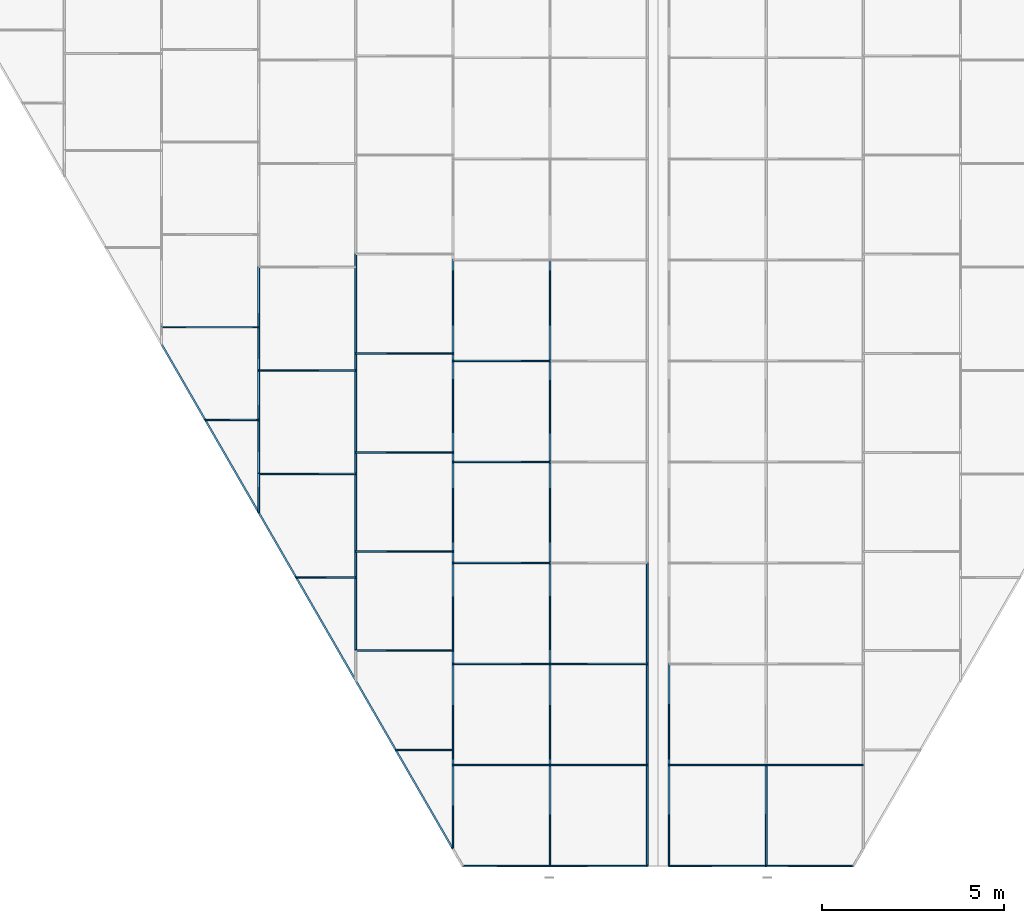
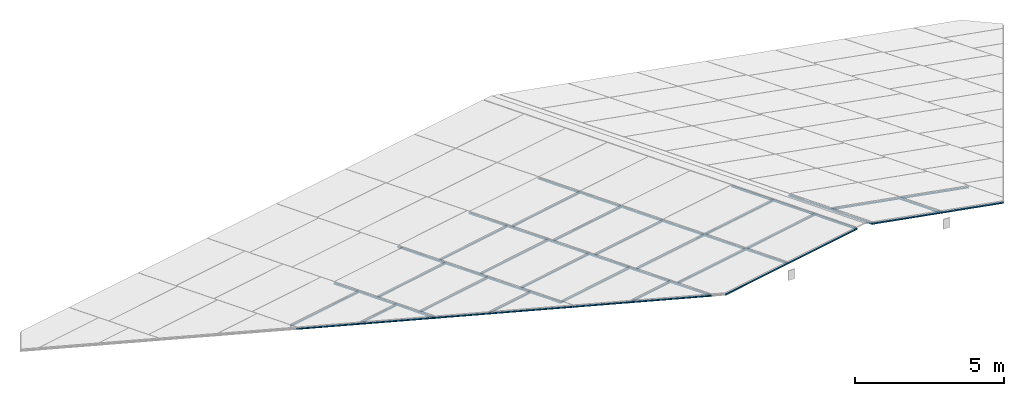
# One storey, part 1 of 12: 54 members, 27 elements without a shape of their own.
"""IFC4 building model written with IfcOpenShell, lengths in metres."""

from ifc_helpers import new_model, si_unit, direction, frame, origin, origin_2d, place, context, subcontext, project, spatial, rectangle, extrude, material, material_profile, profile_set, type_object, element, aggregate, save


model = new_model("IFC4")

# Units and contexts
model_context = context("Model", 3, precision=1e-05, world=origin(), true_north=direction((0.0, 1.0)))
body_context = subcontext(model_context, "Body", "Model", "MODEL_VIEW")
ifc_project = project(units=[si_unit("LENGTHUNIT", "METRE"), si_unit("AREAUNIT", "SQUARE_METRE"), si_unit("VOLUMEUNIT", "CUBIC_METRE"), si_unit("PLANEANGLEUNIT", "RADIAN"), si_unit("MASSUNIT", "GRAM", prefix="KILO")], contexts=[model_context])

# Site, building, storey
site_placement = place(None, origin())
site = spatial("IfcSite", under=ifc_project, at=site_placement, CompositionType="ELEMENT")
building_placement = place(site_placement, origin())
building = spatial("IfcBuilding", under=site, at=building_placement, Name="Aloe Facet Convention Tower", CompositionType="ELEMENT")
storey_placement = place(building_placement, frame((0.0, 0.0, 306.5)))
storey = spatial("IfcBuildingStorey", under=building, at=storey_placement, Name="C6", CompositionType="ELEMENT", Elevation=306.5)

# Curtain wall, members
ifc_material_1 = material(Name="Aluminium, anodised", Category="aluminium")
curtain_wall_type = type_object("IfcCurtainWallType", Name="EV-CW-LANTERN", PredefinedType="USERDEFINED", material=ifc_material_1)
curtain_wall_1_placement = place(storey_placement, origin())
curtain_wall_1 = element("IfcCurtainWall", 1, at=curtain_wall_1_placement, inside=storey, type_object=curtain_wall_type, Name="CW-RW01", ObjectType="ROOF LANTERN GLAZING", PredefinedType="USERDEFINED")
ifc_material_2 = material(Name="Aluminium, anodised", Category="aluminium")
ifc_material_profile_1 = material_profile(ifc_material_2, rectangle(XDim=0.050048828125, YDim=0.0400390625, at=origin_2d()), Name="AL 50x40")
ifc_profile_set_1 = profile_set([ifc_material_profile_1], Name="Aluminium, anodised")
member_type_1 = type_object("IfcMemberType", Name="EV-MULL-LANTERN", PredefinedType="MULLION", material=ifc_profile_set_1)
member_1_placement = place(storey_placement, frame((77.02734375, 109.48046875, 0.584716796875), z_axis=(0.0, 0.929144839545, -0.369715927635), x_axis=(-1.0, 0.0, 0.0)))
member_1 = element("IfcMember", 2, at=member_1_placement, type_object=member_type_1, Name="Glazing bar W01.2", PredefinedType="MULLION", context=body_context, shape_type="SweptSolid", body=[
    extrude(rectangle(XDim=0.050048828125, YDim=0.0400390625, at=origin_2d()), origin(), (0.0, 0.0, 1.0), 2.991943359375),
])
member_2_placement = place(storey_placement, frame((79.699951171875, 112.260498046875, -0.040283203125), z_axis=(0.0, -0.929144839545, 0.369715927635), x_axis=(1.0, 0.0, 0.0)))
member_2 = element("IfcMember", 3, at=member_2_placement, type_object=member_type_1, Name="Glazing bar W01.4", PredefinedType="MULLION", context=body_context, shape_type="SweptSolid", body=[
    extrude(rectangle(XDim=0.050048828125, YDim=0.0400390625, at=origin_2d()), origin(), (0.0, 0.0, 1.0), 2.991943359375),
])

curtain_wall_2_placement = place(storey_placement, origin())
curtain_wall_2 = element("IfcCurtainWall", 4, at=curtain_wall_2_placement, inside=storey, type_object=curtain_wall_type, Name="CW-RW02", ObjectType="ROOF LANTERN GLAZING", PredefinedType="USERDEFINED")
member_3_placement = place(storey_placement, frame((77.02734375, 112.260498046875, -0.521484375), z_axis=(0.0, 0.929144839545, -0.369715927635), x_axis=(-1.0, 0.0, 0.0)))
member_3 = element("IfcMember", 5, at=member_3_placement, type_object=member_type_1, Name="Glazing bar W02.1", PredefinedType="MULLION", context=body_context, shape_type="SweptSolid", body=[
    extrude(rectangle(XDim=0.050048828125, YDim=0.0400390625, at=origin_2d()), origin(), (0.0, 0.0, 1.0), 2.991943359375),
])
member_4_placement = place(storey_placement, frame((79.699951171875, 115.04052734375, -1.146728515625), z_axis=(0.0, -0.929116807554, 0.369786367949), x_axis=(1.0, 0.0, 0.0)))
member_4 = element("IfcMember", 6, at=member_4_placement, type_object=member_type_1, Name="Glazing bar W02.3", PredefinedType="MULLION", context=body_context, shape_type="SweptSolid", body=[
    extrude(rectangle(XDim=0.050048828125, YDim=0.0400390625, at=origin_2d()), origin(), (0.0, 0.0, 1.0), 2.9921875),
])

curtain_wall_3_placement = place(storey_placement, origin())
curtain_wall_3 = element("IfcCurtainWall", 7, at=curtain_wall_3_placement, inside=storey, type_object=curtain_wall_type, Name="CW-RW03", ObjectType="ROOF LANTERN GLAZING", PredefinedType="USERDEFINED")
member_5_placement = place(storey_placement, frame((77.02734375, 115.04052734375, -1.627685546875), z_axis=(0.0, 0.92910564889, -0.369814403721), x_axis=(-1.0, 0.0, 0.0)))
member_5 = element("IfcMember", 8, at=member_5_placement, type_object=member_type_1, Name="Glazing bar W03.1", PredefinedType="MULLION", context=body_context, shape_type="SweptSolid", body=[
    extrude(rectangle(XDim=0.050048828125, YDim=0.0400390625, at=origin_2d()), origin(), (0.0, 0.0, 1.0), 2.991943359375),
])
member_6_placement = place(storey_placement, frame((79.699951171875, 117.8203125, -2.2529296875), z_axis=(0.0, -0.929133684796, 0.369743959758), x_axis=(1.0, 0.0, 0.0)))
member_6 = element("IfcMember", 9, at=member_6_placement, type_object=member_type_1, Name="Glazing bar W03.3", PredefinedType="MULLION", context=body_context, shape_type="SweptSolid", body=[
    extrude(rectangle(XDim=0.050048828125, YDim=0.0400390625, at=origin_2d()), origin(), (0.0, 0.0, 1.0), 2.99169921875),
])
aggregate(curtain_wall_3, [member_5, member_6])

# Curtain wall, member
curtain_wall_4_placement = place(storey_placement, origin())
curtain_wall_4 = element("IfcCurtainWall", 10, at=curtain_wall_4_placement, inside=storey, type_object=curtain_wall_type, Name="CW-RW04", ObjectType="ROOF LANTERN GLAZING", PredefinedType="USERDEFINED")
member_7_placement = place(storey_placement, frame((77.02734375, 117.8203125, -2.734130859375), z_axis=(0.0, 0.929144839545, -0.369715927635), x_axis=(-1.0, 0.0, 0.0)))
member_7 = element("IfcMember", 11, at=member_7_placement, type_object=member_type_1, Name="Glazing bar W04.1", PredefinedType="MULLION", context=body_context, shape_type="SweptSolid", body=[
    extrude(rectangle(XDim=0.050048828125, YDim=0.0400390625, at=origin_2d()), origin(), (0.0, 0.0, 1.0), 2.991943359375),
])
aggregate(curtain_wall_4, [member_7])

curtain_wall_5_placement = place(storey_placement, origin())
curtain_wall_5 = element("IfcCurtainWall", 12, at=curtain_wall_5_placement, inside=storey, type_object=curtain_wall_type, Name="CW-RW05", ObjectType="ROOF LANTERN GLAZING", PredefinedType="USERDEFINED")
member_8_placement = place(storey_placement, frame((77.02734375, 120.600341796875, -3.84033203125), z_axis=(0.0, 0.929133684796, -0.369743959758), x_axis=(-1.0, 0.0, 0.0)))
member_8 = element("IfcMember", 13, at=member_8_placement, type_object=member_type_1, Name="Glazing bar W05.1", PredefinedType="MULLION", context=body_context, shape_type="SweptSolid", body=[
    extrude(rectangle(XDim=0.050048828125, YDim=0.0400390625, at=origin_2d()), origin(), (0.0, 0.0, 1.0), 2.99169921875),
])
aggregate(curtain_wall_5, [member_8])

curtain_wall_6_placement = place(storey_placement, origin())
curtain_wall_6 = element("IfcCurtainWall", 14, at=curtain_wall_6_placement, inside=storey, type_object=curtain_wall_type, Name="CW-RW06", ObjectType="ROOF LANTERN GLAZING", PredefinedType="USERDEFINED")
member_9_placement = place(storey_placement, frame((77.02734375, 123.380126953125, -4.946533203125), z_axis=(0.0, 0.929144839545, -0.369715927635), x_axis=(-1.0, 0.0, 0.0)))
member_9 = element("IfcMember", 15, at=member_9_placement, type_object=member_type_1, Name="Glazing bar W06.1", PredefinedType="MULLION", context=body_context, shape_type="SweptSolid", body=[
    extrude(rectangle(XDim=0.050048828125, YDim=0.0400390625, at=origin_2d()), origin(), (0.0, 0.0, 1.0), 2.991943359375),
])
aggregate(curtain_wall_6, [member_9])

curtain_wall_7_placement = place(storey_placement, origin())
curtain_wall_7 = element("IfcCurtainWall", 16, at=curtain_wall_7_placement, inside=storey, type_object=curtain_wall_type, Name="CW-RW10", ObjectType="ROOF LANTERN GLAZING", PredefinedType="USERDEFINED")
member_10_placement = place(storey_placement, frame((74.354736328125, 109.948486328125, -0.08251953125), z_axis=(0.0, 0.929118101191, -0.36978311757), x_axis=(-1.0, 0.0, 0.0)))
member_10 = element("IfcMember", 17, at=member_10_placement, type_object=member_type_1, Name="Glazing bar W10.4", PredefinedType="MULLION", context=body_context, shape_type="SweptSolid", body=[
    extrude(rectangle(XDim=0.050048828125, YDim=0.0400390625, at=origin_2d()), origin(), (0.0, 0.0, 1.0), 2.48828125),
])

curtain_wall_8_placement = place(storey_placement, origin())
curtain_wall_8 = element("IfcCurtainWall", 18, at=curtain_wall_8_placement, inside=storey, type_object=curtain_wall_type, Name="CW-RW11", ObjectType="ROOF LANTERN GLAZING", PredefinedType="USERDEFINED")
member_11_placement = place(storey_placement, frame((74.354736328125, 112.260498046875, -1.002685546875), z_axis=(0.0, 0.929144839545, -0.369715927635), x_axis=(-1.0, 0.0, 0.0)))
member_11 = element("IfcMember", 19, at=member_11_placement, type_object=member_type_1, Name="Glazing bar W11.2", PredefinedType="MULLION", context=body_context, shape_type="SweptSolid", body=[
    extrude(rectangle(XDim=0.050048828125, YDim=0.0400390625, at=origin_2d()), origin(), (0.0, 0.0, 1.0), 2.991943359375),
])

curtain_wall_9_placement = place(storey_placement, origin())
curtain_wall_9 = element("IfcCurtainWall", 20, at=curtain_wall_9_placement, inside=storey, type_object=curtain_wall_type, Name="CW-RW12", ObjectType="ROOF LANTERN GLAZING", PredefinedType="USERDEFINED")
member_12_placement = place(storey_placement, frame((74.354736328125, 115.04052734375, -2.10888671875), z_axis=(0.0, 0.929133684796, -0.369743959758), x_axis=(-1.0, 0.0, 0.0)))
member_12 = element("IfcMember", 21, at=member_12_placement, type_object=member_type_1, Name="Glazing bar W12.2", PredefinedType="MULLION", context=body_context, shape_type="SweptSolid", body=[
    extrude(rectangle(XDim=0.050048828125, YDim=0.0400390625, at=origin_2d()), origin(), (0.0, 0.0, 1.0), 2.99169921875),
])

curtain_wall_10_placement = place(storey_placement, origin())
curtain_wall_10 = element("IfcCurtainWall", 22, at=curtain_wall_10_placement, inside=storey, type_object=curtain_wall_type, Name="CW-RW13", ObjectType="ROOF LANTERN GLAZING", PredefinedType="USERDEFINED")
member_13_placement = place(storey_placement, frame((74.354736328125, 117.8203125, -3.215087890625), z_axis=(0.0, 0.929144839545, -0.369715927635), x_axis=(-1.0, 0.0, 0.0)))
member_13 = element("IfcMember", 23, at=member_13_placement, type_object=member_type_1, Name="Glazing bar W13.2", PredefinedType="MULLION", context=body_context, shape_type="SweptSolid", body=[
    extrude(rectangle(XDim=0.050048828125, YDim=0.0400390625, at=origin_2d()), origin(), (0.0, 0.0, 1.0), 2.991943359375),
])

curtain_wall_11_placement = place(storey_placement, origin())
curtain_wall_11 = element("IfcCurtainWall", 24, at=curtain_wall_11_placement, inside=storey, type_object=curtain_wall_type, Name="CW-RW14", ObjectType="ROOF LANTERN GLAZING", PredefinedType="USERDEFINED")
member_14_placement = place(storey_placement, frame((74.354736328125, 120.600341796875, -4.3212890625), z_axis=(0.0, 0.92910564889, -0.369814403721), x_axis=(-1.0, 0.0, 0.0)))
member_14 = element("IfcMember", 25, at=member_14_placement, type_object=member_type_1, Name="Glazing bar W14.2", PredefinedType="MULLION", context=body_context, shape_type="SweptSolid", body=[
    extrude(rectangle(XDim=0.050048828125, YDim=0.0400390625, at=origin_2d()), origin(), (0.0, 0.0, 1.0), 2.991943359375),
])

curtain_wall_12_placement = place(storey_placement, origin())
curtain_wall_12 = element("IfcCurtainWall", 26, at=curtain_wall_12_placement, inside=storey, type_object=curtain_wall_type, Name="CW-RW15", ObjectType="ROOF LANTERN GLAZING", PredefinedType="USERDEFINED")
member_15_placement = place(storey_placement, frame((74.354736328125, 123.380126953125, -5.427734375), z_axis=(0.0, 0.929144839545, -0.369715927635), x_axis=(-1.0, 0.0, 0.0)))
member_15 = element("IfcMember", 27, at=member_15_placement, type_object=member_type_1, Name="Glazing bar W15.2", PredefinedType="MULLION", context=body_context, shape_type="SweptSolid", body=[
    extrude(rectangle(XDim=0.050048828125, YDim=0.0400390625, at=origin_2d()), origin(), (0.0, 0.0, 1.0), 2.991943359375),
])
aggregate(curtain_wall_12, [member_15])

curtain_wall_13_placement = place(storey_placement, origin())
curtain_wall_13 = element("IfcCurtainWall", 28, at=curtain_wall_13_placement, inside=storey, type_object=curtain_wall_type, Name="CW-RW19", ObjectType="ROOF LANTERN GLAZING", PredefinedType="USERDEFINED")
member_16_placement = place(storey_placement, frame((74.354736328125, 109.948486328125, -0.08251953125), z_axis=(-0.45859751412, 0.794229482761, -0.39860738673), x_axis=(-0.866002311072, -0.500039995618, 0.0)))
member_16 = element("IfcMember", 29, at=member_16_placement, type_object=member_type_1, Name="Glazing bar W19.1", PredefinedType="MULLION", context=body_context, shape_type="SweptSolid", body=[
    extrude(rectangle(XDim=0.050048828125, YDim=0.0400390625, at=origin_2d()), origin(), (0.0, 0.0, 1.0), 3.434814453125),
])

curtain_wall_14_placement = place(storey_placement, origin())
curtain_wall_14 = element("IfcCurtainWall", 30, at=curtain_wall_14_placement, inside=storey, type_object=curtain_wall_type, Name="CW-RW20", ObjectType="ROOF LANTERN GLAZING", PredefinedType="USERDEFINED")
member_17_placement = place(storey_placement, frame((72.779541015625, 112.676513671875, -1.45166015625), z_axis=(-0.458538224118, 0.794282849072, -0.398569257084), x_axis=(-0.866044851585, -0.499966313909, 0.0)))
member_17 = element("IfcMember", 31, at=member_17_placement, type_object=member_type_1, Name="Glazing bar W20.2", PredefinedType="MULLION", context=body_context, shape_type="SweptSolid", body=[
    extrude(rectangle(XDim=0.050048828125, YDim=0.0400390625, at=origin_2d()), origin(), (0.0, 0.0, 1.0), 2.393798828125),
])

curtain_wall_15_placement = place(storey_placement, origin())
curtain_wall_15 = element("IfcCurtainWall", 32, at=curtain_wall_15_placement, inside=storey, type_object=curtain_wall_type, Name="CW-RW21", ObjectType="ROOF LANTERN GLAZING", PredefinedType="USERDEFINED")
member_18_placement = place(storey_placement, frame((71.681884765625, 115.404541015625, -2.73486328125), z_axis=(0.0, 0.9291404768, -0.3697268916), x_axis=(-1.0, 0.0, 0.0)))
member_18 = element("IfcMember", 33, at=member_18_placement, type_object=member_type_1, Name="Glazing bar W21.2", PredefinedType="MULLION", context=body_context, shape_type="SweptSolid", body=[
    extrude(rectangle(XDim=0.050048828125, YDim=0.0400390625, at=origin_2d()), origin(), (0.0, 0.0, 1.0), 2.935791015625),
])

curtain_wall_16_placement = place(storey_placement, origin())
curtain_wall_16 = element("IfcCurtainWall", 34, at=curtain_wall_16_placement, inside=storey, type_object=curtain_wall_type, Name="CW-RW22", ObjectType="ROOF LANTERN GLAZING", PredefinedType="USERDEFINED")
member_19_placement = place(storey_placement, frame((71.681884765625, 118.13232421875, -3.8203125), z_axis=(0.0, 0.929123277764, -0.369770110633), x_axis=(-1.0, 0.0, 0.0)))
member_19 = element("IfcMember", 35, at=member_19_placement, type_object=member_type_1, Name="Glazing bar W22.2", PredefinedType="MULLION", context=body_context, shape_type="SweptSolid", body=[
    extrude(rectangle(XDim=0.050048828125, YDim=0.0400390625, at=origin_2d()), origin(), (0.0, 0.0, 1.0), 2.93603515625),
])

curtain_wall_17_placement = place(storey_placement, origin())
curtain_wall_17 = element("IfcCurtainWall", 36, at=curtain_wall_17_placement, inside=storey, type_object=curtain_wall_type, Name="CW-RW23", ObjectType="ROOF LANTERN GLAZING", PredefinedType="USERDEFINED")
member_20_placement = place(storey_placement, frame((71.681884765625, 120.8603515625, -4.906005859375), z_axis=(0.0, 0.92915184321, -0.369698326017), x_axis=(-1.0, 0.0, 0.0)))
member_20 = element("IfcMember", 37, at=member_20_placement, type_object=member_type_1, Name="Glazing bar W23.2", PredefinedType="MULLION", context=body_context, shape_type="SweptSolid", body=[
    extrude(rectangle(XDim=0.050048828125, YDim=0.0400390625, at=origin_2d()), origin(), (0.0, 0.0, 1.0), 2.93603515625),
])

curtain_wall_18_placement = place(storey_placement, origin())
curtain_wall_18 = element("IfcCurtainWall", 38, at=curtain_wall_18_placement, inside=storey, type_object=curtain_wall_type, Name="CW-RW24", ObjectType="ROOF LANTERN GLAZING", PredefinedType="USERDEFINED")
member_21_placement = place(storey_placement, frame((71.681884765625, 123.58837890625, -5.991455078125), z_axis=(0.0, 0.929111907289, -0.369798680006), x_axis=(-1.0, 0.0, 0.0)))
member_21 = element("IfcMember", 39, at=member_21_placement, type_object=member_type_1, Name="Glazing bar W24.2", PredefinedType="MULLION", context=body_context, shape_type="SweptSolid", body=[
    extrude(rectangle(XDim=0.050048828125, YDim=0.0400390625, at=origin_2d()), origin(), (0.0, 0.0, 1.0), 2.935791015625),
])
aggregate(curtain_wall_18, [member_21])

curtain_wall_19_placement = place(storey_placement, origin())
curtain_wall_19 = element("IfcCurtainWall", 40, at=curtain_wall_19_placement, inside=storey, type_object=curtain_wall_type, Name="CW-RW28", ObjectType="ROOF LANTERN GLAZING", PredefinedType="USERDEFINED")
member_22_placement = place(storey_placement, frame((71.681884765625, 114.577880859375, -2.40576171875), z_axis=(-0.458542254261, 0.794238790181, -0.398652411542), x_axis=(-0.866030939752, -0.499990411301, 0.0)))
member_22 = element("IfcMember", 41, at=member_22_placement, type_object=member_type_1, Name="Glazing bar W28.1", PredefinedType="MULLION", context=body_context, shape_type="SweptSolid", body=[
    extrude(rectangle(XDim=0.050048828125, YDim=0.0400390625, at=origin_2d()), origin(), (0.0, 0.0, 1.0), 3.583251953125),
])

# Curtain wall, members
curtain_wall_20_placement = place(storey_placement, origin())
curtain_wall_20 = element("IfcCurtainWall", 42, at=curtain_wall_20_placement, inside=storey, type_object=curtain_wall_type, Name="CW-RW29", ObjectType="ROOF LANTERN GLAZING", PredefinedType="USERDEFINED")
member_23_placement = place(storey_placement, frame((70.038818359375, 117.423828125, -3.834228515625), z_axis=(-0.45857622573, 0.79427098713, -0.398549174128), x_axis=(-0.866023676963, -0.50000299093, 0.0)))
member_23 = element("IfcMember", 43, at=member_23_placement, type_object=member_type_1, Name="Glazing bar W29.2", PredefinedType="MULLION", context=body_context, shape_type="SweptSolid", body=[
    extrude(rectangle(XDim=0.050048828125, YDim=0.0400390625, at=origin_2d()), origin(), (0.0, 0.0, 1.0), 2.2451171875),
])
member_24_placement = place(storey_placement, frame((69.00927734375, 119.20703125, -4.72900390625), z_axis=(0.0, 0.929078968563, -0.369881427181), x_axis=(-1.0, 0.0, 0.0)))
member_24 = element("IfcMember", 44, at=member_24_placement, type_object=member_type_1, Name="Glazing bar W29.3", PredefinedType="MULLION", context=body_context, shape_type="SweptSolid", body=[
    extrude(rectangle(XDim=0.050048828125, YDim=0.0400390625, at=origin_2d()), origin(), (0.0, 0.0, 1.0), 1.143798828125),
])

# Curtain wall, member
curtain_wall_21_placement = place(storey_placement, origin())
curtain_wall_21 = element("IfcCurtainWall", 45, at=curtain_wall_21_placement, inside=storey, type_object=curtain_wall_type, Name="CW-RW30", ObjectType="ROOF LANTERN GLAZING", PredefinedType="USERDEFINED")
member_25_placement = place(storey_placement, frame((69.00927734375, 120.269775390625, -5.152099609375), z_axis=(0.0, 0.929140283212, -0.369727378094), x_axis=(-1.0, 0.0, 0.0)))
member_25 = element("IfcMember", 46, at=member_25_placement, type_object=member_type_1, Name="Glazing bar W30.2", PredefinedType="MULLION", context=body_context, shape_type="SweptSolid", body=[
    extrude(rectangle(XDim=0.050048828125, YDim=0.0400390625, at=origin_2d()), origin(), (0.0, 0.0, 1.0), 3.063232421875),
])

curtain_wall_22_placement = place(storey_placement, origin())
curtain_wall_22 = element("IfcCurtainWall", 47, at=curtain_wall_22_placement, inside=storey, type_object=curtain_wall_type, Name="CW-RW31", ObjectType="ROOF LANTERN GLAZING", PredefinedType="USERDEFINED")
member_26_placement = place(storey_placement, frame((69.00927734375, 123.115966796875, -6.28466796875), z_axis=(0.0, 0.929129387172, -0.369754759122), x_axis=(-1.0, 0.0, 0.0)))
member_26 = element("IfcMember", 48, at=member_26_placement, type_object=member_type_1, Name="Glazing bar W31.2", PredefinedType="MULLION", context=body_context, shape_type="SweptSolid", body=[
    extrude(rectangle(XDim=0.050048828125, YDim=0.0400390625, at=origin_2d()), origin(), (0.0, 0.0, 1.0), 3.06298828125),
])
aggregate(curtain_wall_22, [member_26])

curtain_wall_23_placement = place(storey_placement, origin())
curtain_wall_23 = element("IfcCurtainWall", 49, at=curtain_wall_23_placement, inside=storey, type_object=curtain_wall_type, Name="CW-RW35", ObjectType="ROOF LANTERN GLAZING", PredefinedType="USERDEFINED")
member_27_placement = place(storey_placement, frame((69.00927734375, 119.20703125, -4.72900390625), z_axis=(-0.45858144123, 0.7942253229, -0.3986341659), x_axis=(-0.866008766065, -0.500028816268, 0.0)))
member_27 = element("IfcMember", 50, at=member_27_placement, type_object=member_type_1, Name="Glazing bar W35.1", PredefinedType="MULLION", context=body_context, shape_type="SweptSolid", body=[
    extrude(rectangle(XDim=0.050048828125, YDim=0.0400390625, at=origin_2d()), origin(), (0.0, 0.0, 1.0), 3.209228515625),
])

curtain_wall_24_placement = place(storey_placement, origin())
curtain_wall_24 = element("IfcCurtainWall", 51, at=curtain_wall_24_placement, inside=storey, type_object=curtain_wall_type, Name="CW-RW36", ObjectType="ROOF LANTERN GLAZING", PredefinedType="USERDEFINED")
member_28_placement = place(storey_placement, frame((67.53759765625, 121.755859375, -6.00830078125), z_axis=(-0.458523358976, 0.794282891205, -0.398586274239), x_axis=(-0.866051881071, -0.499954137189, 0.0)))
member_28 = element("IfcMember", 52, at=member_28_placement, type_object=member_type_1, Name="Glazing bar W36.2", PredefinedType="MULLION", context=body_context, shape_type="SweptSolid", body=[
    extrude(rectangle(XDim=0.050048828125, YDim=0.0400390625, at=origin_2d()), origin(), (0.0, 0.0, 1.0), 2.619140625),
])

# Curtain wall, members
curtain_wall_25_placement = place(storey_placement, origin())
curtain_wall_25 = element("IfcCurtainWall", 53, at=curtain_wall_25_placement, inside=storey, type_object=curtain_wall_type, Name="CW-RE01", ObjectType="ROOF LANTERN GLAZING", PredefinedType="USERDEFINED")
member_29_placement = place(storey_placement, frame((80.300048828125, 109.48046875, 1.06591796875), z_axis=(0.0, 0.929144839545, -0.369715927635), x_axis=(-1.0, 0.0, 0.0)))
member_29 = element("IfcMember", 54, at=member_29_placement, type_object=member_type_1, Name="Glazing bar E01.2", PredefinedType="MULLION", context=body_context, shape_type="SweptSolid", body=[
    extrude(rectangle(XDim=0.050048828125, YDim=0.0400390625, at=origin_2d()), origin(), (0.0, 0.0, 1.0), 2.991943359375),
])
member_30_placement = place(storey_placement, frame((82.97265625, 112.260498046875, -0.521484375), z_axis=(0.0, -0.929144839545, 0.369715927635), x_axis=(1.0, 0.0, 0.0)))
member_30 = element("IfcMember", 55, at=member_30_placement, type_object=member_type_1, Name="Glazing bar E01.4", PredefinedType="MULLION", context=body_context, shape_type="SweptSolid", body=[
    extrude(rectangle(XDim=0.050048828125, YDim=0.0400390625, at=origin_2d()), origin(), (0.0, 0.0, 1.0), 2.991943359375),
])

# Curtain wall, member
curtain_wall_26_placement = place(storey_placement, origin())
curtain_wall_26 = element("IfcCurtainWall", 56, at=curtain_wall_26_placement, inside=storey, type_object=curtain_wall_type, Name="CW-RE02", ObjectType="ROOF LANTERN GLAZING", PredefinedType="USERDEFINED")
member_31_placement = place(storey_placement, frame((80.300048828125, 112.260498046875, -0.040283203125), z_axis=(0.0, 0.929116807554, -0.369786367949), x_axis=(-1.0, 0.0, 0.0)))
member_31 = element("IfcMember", 57, at=member_31_placement, type_object=member_type_1, Name="Glazing bar E02.1", PredefinedType="MULLION", context=body_context, shape_type="SweptSolid", body=[
    extrude(rectangle(XDim=0.050048828125, YDim=0.0400390625, at=origin_2d()), origin(), (0.0, 0.0, 1.0), 2.9921875),
])
aggregate(curtain_wall_26, [member_31])

# Member
ifc_material_3 = material(Name="Aluminium, anodised", Category="aluminium")
ifc_material_profile_2 = material_profile(ifc_material_3, rectangle(XDim=0.0400390625, YDim=0.050048828125, at=origin_2d()), Name="AL 40x50")
ifc_profile_set_2 = profile_set([ifc_material_profile_2], Name="Aluminium, anodised")
member_type_2 = type_object("IfcMemberType", Name="EV-TRAN-LANTERN", PredefinedType="USERDEFINED", material=ifc_profile_set_2)
member_32_placement = place(storey_placement, frame((79.699951171875, 109.48046875, 1.06591796875), z_axis=(-0.984174858465, 0.0, -0.177200022475), x_axis=(0.0, -1.0, 0.0)))
member_32 = element("IfcMember", 58, at=member_32_placement, type_object=member_type_2, Name="Glazing bar W01.1", ObjectType="TRANSOM", PredefinedType="USERDEFINED", context=body_context, shape_type="SweptSolid", body=[
    extrude(rectangle(XDim=0.0400390625, YDim=0.050048828125, at=origin_2d()), origin(), (0.0, 0.0, 1.0), 2.715576171875),
])

member_33_placement = place(storey_placement, frame((77.02734375, 112.260498046875, -0.521484375), z_axis=(0.984174858465, 0.0, 0.177200022475), x_axis=(0.0, 1.0, 0.0)))
member_33 = element("IfcMember", 59, at=member_33_placement, type_object=member_type_2, Name="Glazing bar W01.3", ObjectType="TRANSOM", PredefinedType="USERDEFINED", context=body_context, shape_type="SweptSolid", body=[
    extrude(rectangle(XDim=0.0400390625, YDim=0.050048828125, at=origin_2d()), origin(), (0.0, 0.0, 1.0), 2.715576171875),
])

aggregate(curtain_wall_1, [member_32, member_1, member_33, member_2])

member_34_placement = place(storey_placement, frame((77.02734375, 115.04052734375, -1.627685546875), z_axis=(0.984190533675, 0.0, 0.177112939741), x_axis=(0.0, 1.0, 0.0)))
member_34 = element("IfcMember", 60, at=member_34_placement, type_object=member_type_2, Name="Glazing bar W02.2", ObjectType="TRANSOM", PredefinedType="USERDEFINED", context=body_context, shape_type="SweptSolid", body=[
    extrude(rectangle(XDim=0.0400390625, YDim=0.050048828125, at=origin_2d()), origin(), (0.0, 0.0, 1.0), 2.715576171875),
])

aggregate(curtain_wall_2, [member_3, member_34, member_4])

member_35_placement = place(storey_placement, frame((74.354736328125, 112.260498046875, -1.002685546875), z_axis=(0.984174858465, 0.0, 0.177200022475), x_axis=(0.0, 1.0, 0.0)))
member_35 = element("IfcMember", 61, at=member_35_placement, type_object=member_type_2, Name="Glazing bar W10.1", ObjectType="TRANSOM", PredefinedType="USERDEFINED", context=body_context, shape_type="SweptSolid", body=[
    extrude(rectangle(XDim=0.0400390625, YDim=0.050048828125, at=origin_2d()), origin(), (0.0, 0.0, 1.0), 2.715576171875),
])

member_36_placement = place(storey_placement, frame((77.02734375, 109.48046875, 0.584716796875), z_axis=(-0.98418994923, 0.0, -0.177116187388), x_axis=(0.0, -1.0, 0.0)))
member_36 = element("IfcMember", 62, at=member_36_placement, type_object=member_type_2, Name="Glazing bar W10.2", ObjectType="TRANSOM", PredefinedType="USERDEFINED", context=body_context, shape_type="SweptSolid", body=[
    extrude(rectangle(XDim=0.0400390625, YDim=0.050048828125, at=origin_2d()), origin(), (0.0, 0.0, 1.0), 2.441162109375),
])

aggregate(curtain_wall_7, [member_35, member_36, member_10])

member_37_placement = place(storey_placement, frame((74.354736328125, 115.04052734375, -2.10888671875), z_axis=(0.984174858465, 0.0, 0.177200022475), x_axis=(0.0, 1.0, 0.0)))
member_37 = element("IfcMember", 63, at=member_37_placement, type_object=member_type_2, Name="Glazing bar W11.1", ObjectType="TRANSOM", PredefinedType="USERDEFINED", context=body_context, shape_type="SweptSolid", body=[
    extrude(rectangle(XDim=0.0400390625, YDim=0.050048828125, at=origin_2d()), origin(), (0.0, 0.0, 1.0), 2.715576171875),
])

aggregate(curtain_wall_8, [member_37, member_11])

member_38_placement = place(storey_placement, frame((74.354736328125, 117.8203125, -3.215087890625), z_axis=(0.984190533675, 0.0, 0.177112939741), x_axis=(0.0, 1.0, 0.0)))
member_38 = element("IfcMember", 64, at=member_38_placement, type_object=member_type_2, Name="Glazing bar W12.1", ObjectType="TRANSOM", PredefinedType="USERDEFINED", context=body_context, shape_type="SweptSolid", body=[
    extrude(rectangle(XDim=0.0400390625, YDim=0.050048828125, at=origin_2d()), origin(), (0.0, 0.0, 1.0), 2.715576171875),
])

aggregate(curtain_wall_9, [member_38, member_12])

member_39_placement = place(storey_placement, frame((74.354736328125, 120.600341796875, -4.3212890625), z_axis=(0.984190533675, 0.0, 0.177112939741), x_axis=(0.0, 1.0, 0.0)))
member_39 = element("IfcMember", 65, at=member_39_placement, type_object=member_type_2, Name="Glazing bar W13.1", ObjectType="TRANSOM", PredefinedType="USERDEFINED", context=body_context, shape_type="SweptSolid", body=[
    extrude(rectangle(XDim=0.0400390625, YDim=0.050048828125, at=origin_2d()), origin(), (0.0, 0.0, 1.0), 2.715576171875),
])

aggregate(curtain_wall_10, [member_39, member_13])

member_40_placement = place(storey_placement, frame((74.354736328125, 123.380126953125, -5.427734375), z_axis=(0.984174858465, 0.0, 0.177200022475), x_axis=(0.0, 1.0, 0.0)))
member_40 = element("IfcMember", 66, at=member_40_placement, type_object=member_type_2, Name="Glazing bar W14.1", ObjectType="TRANSOM", PredefinedType="USERDEFINED", context=body_context, shape_type="SweptSolid", body=[
    extrude(rectangle(XDim=0.0400390625, YDim=0.050048828125, at=origin_2d()), origin(), (0.0, 0.0, 1.0), 2.715576171875),
])

aggregate(curtain_wall_11, [member_40, member_14])

member_41_placement = place(storey_placement, frame((72.779541015625, 112.676513671875, -1.45166015625), z_axis=(0.984192896965, 0.0, 0.177099806785), x_axis=(0.0, 1.0, 0.0)))
member_41 = element("IfcMember", 67, at=member_41_placement, type_object=member_type_2, Name="Glazing bar W19.2", ObjectType="TRANSOM", PredefinedType="USERDEFINED", context=body_context, shape_type="SweptSolid", body=[
    extrude(rectangle(XDim=0.0400390625, YDim=0.050048828125, at=origin_2d()), origin(), (0.0, 0.0, 1.0), 1.6005859375),
])

aggregate(curtain_wall_13, [member_16, member_41])

member_42_placement = place(storey_placement, frame((71.681884765625, 115.404541015625, -2.73486328125), z_axis=(0.98417768105, 0.0, 0.177184345027), x_axis=(0.0, 1.0, 0.0)))
member_42 = element("IfcMember", 68, at=member_42_placement, type_object=member_type_2, Name="Glazing bar W20.1", ObjectType="TRANSOM", PredefinedType="USERDEFINED", context=body_context, shape_type="SweptSolid", body=[
    extrude(rectangle(XDim=0.0400390625, YDim=0.050048828125, at=origin_2d()), origin(), (0.0, 0.0, 1.0), 2.7158203125),
])

aggregate(curtain_wall_14, [member_42, member_17])

member_43_placement = place(storey_placement, frame((71.681884765625, 118.13232421875, -3.8203125), z_axis=(0.984193353532, 0.0, 0.177097269497), x_axis=(0.0, 1.0, 0.0)))
member_43 = element("IfcMember", 69, at=member_43_placement, type_object=member_type_2, Name="Glazing bar W21.1", ObjectType="TRANSOM", PredefinedType="USERDEFINED", context=body_context, shape_type="SweptSolid", body=[
    extrude(rectangle(XDim=0.0400390625, YDim=0.050048828125, at=origin_2d()), origin(), (0.0, 0.0, 1.0), 2.7158203125),
])

aggregate(curtain_wall_15, [member_43, member_18])

member_44_placement = place(storey_placement, frame((71.681884765625, 120.8603515625, -4.906005859375), z_axis=(0.98417768105, 0.0, 0.177184345027), x_axis=(0.0, 1.0, 0.0)))
member_44 = element("IfcMember", 70, at=member_44_placement, type_object=member_type_2, Name="Glazing bar W22.1", ObjectType="TRANSOM", PredefinedType="USERDEFINED", context=body_context, shape_type="SweptSolid", body=[
    extrude(rectangle(XDim=0.0400390625, YDim=0.050048828125, at=origin_2d()), origin(), (0.0, 0.0, 1.0), 2.7158203125),
])

aggregate(curtain_wall_16, [member_44, member_19])

member_45_placement = place(storey_placement, frame((71.681884765625, 123.58837890625, -5.991455078125), z_axis=(0.984193353532, 0.0, 0.177097269497), x_axis=(0.0, 1.0, 0.0)))
member_45 = element("IfcMember", 71, at=member_45_placement, type_object=member_type_2, Name="Glazing bar W23.1", ObjectType="TRANSOM", PredefinedType="USERDEFINED", context=body_context, shape_type="SweptSolid", body=[
    extrude(rectangle(XDim=0.0400390625, YDim=0.050048828125, at=origin_2d()), origin(), (0.0, 0.0, 1.0), 2.7158203125),
])

aggregate(curtain_wall_17, [member_45, member_20])

member_46_placement = place(storey_placement, frame((70.038818359375, 117.423828125, -3.834228515625), z_axis=(0.98416802247, 0.0, 0.177237985622), x_axis=(0.0, 1.0, 0.0)))
member_46 = element("IfcMember", 72, at=member_46_placement, type_object=member_type_2, Name="Glazing bar W28.2", ObjectType="TRANSOM", PredefinedType="USERDEFINED", context=body_context, shape_type="SweptSolid", body=[
    extrude(rectangle(XDim=0.0400390625, YDim=0.050048828125, at=origin_2d()), origin(), (0.0, 0.0, 1.0), 1.66943359375),
])

aggregate(curtain_wall_19, [member_22, member_46])

member_47_placement = place(storey_placement, frame((69.00927734375, 120.269775390625, -5.152099609375), z_axis=(0.984174858465, 0.0, 0.177200022475), x_axis=(0.0, 1.0, 0.0)))
member_47 = element("IfcMember", 73, at=member_47_placement, type_object=member_type_2, Name="Glazing bar W29.1", ObjectType="TRANSOM", PredefinedType="USERDEFINED", context=body_context, shape_type="SweptSolid", body=[
    extrude(rectangle(XDim=0.0400390625, YDim=0.050048828125, at=origin_2d()), origin(), (0.0, 0.0, 1.0), 2.715576171875),
])

aggregate(curtain_wall_20, [member_47, member_23, member_24])

member_48_placement = place(storey_placement, frame((69.00927734375, 123.115966796875, -6.28466796875), z_axis=(0.984174858465, 0.0, 0.177200022475), x_axis=(0.0, 1.0, 0.0)))
member_48 = element("IfcMember", 74, at=member_48_placement, type_object=member_type_2, Name="Glazing bar W30.1", ObjectType="TRANSOM", PredefinedType="USERDEFINED", context=body_context, shape_type="SweptSolid", body=[
    extrude(rectangle(XDim=0.0400390625, YDim=0.050048828125, at=origin_2d()), origin(), (0.0, 0.0, 1.0), 2.715576171875),
])

aggregate(curtain_wall_21, [member_48, member_25])

member_49_placement = place(storey_placement, frame((67.53759765625, 121.755859375, -6.00830078125), z_axis=(0.984184462597, 0.0, 0.177146672515), x_axis=(0.0, 1.0, 0.0)))
member_49 = element("IfcMember", 75, at=member_49_placement, type_object=member_type_2, Name="Glazing bar W35.2", ObjectType="TRANSOM", PredefinedType="USERDEFINED", context=body_context, shape_type="SweptSolid", body=[
    extrude(rectangle(XDim=0.0400390625, YDim=0.050048828125, at=origin_2d()), origin(), (0.0, 0.0, 1.0), 1.495361328125),
])

aggregate(curtain_wall_23, [member_27, member_49])

member_50_placement = place(storey_placement, frame((66.336669921875, 124.3046875, -7.23876953125), z_axis=(0.984174858465, 0.0, 0.177200022475), x_axis=(0.0, 1.0, 0.0)))
member_50 = element("IfcMember", 76, at=member_50_placement, type_object=member_type_2, Name="Glazing bar W36.1", ObjectType="TRANSOM", PredefinedType="USERDEFINED", context=body_context, shape_type="SweptSolid", body=[
    extrude(rectangle(XDim=0.0400390625, YDim=0.050048828125, at=origin_2d()), origin(), (0.0, 0.0, 1.0), 2.715576171875),
])

aggregate(curtain_wall_24, [member_50, member_28])

member_51_placement = place(storey_placement, frame((82.97265625, 109.48046875, 0.584716796875), z_axis=(-0.984174858465, 0.0, 0.177200022475), x_axis=(0.0, -1.0, 0.0)))
member_51 = element("IfcMember", 77, at=member_51_placement, type_object=member_type_2, Name="Glazing bar E01.1", ObjectType="TRANSOM", PredefinedType="USERDEFINED", context=body_context, shape_type="SweptSolid", body=[
    extrude(rectangle(XDim=0.0400390625, YDim=0.050048828125, at=origin_2d()), origin(), (0.0, 0.0, 1.0), 2.715576171875),
])

member_52_placement = place(storey_placement, frame((80.300048828125, 112.260498046875, -0.040283203125), z_axis=(0.984174858465, 0.0, -0.177200022475), x_axis=(0.0, 1.0, 0.0)))
member_52 = element("IfcMember", 78, at=member_52_placement, type_object=member_type_2, Name="Glazing bar E01.3", ObjectType="TRANSOM", PredefinedType="USERDEFINED", context=body_context, shape_type="SweptSolid", body=[
    extrude(rectangle(XDim=0.0400390625, YDim=0.050048828125, at=origin_2d()), origin(), (0.0, 0.0, 1.0), 2.715576171875),
])

aggregate(curtain_wall_25, [member_51, member_29, member_52, member_30])

# Curtain wall, members
curtain_wall_27_placement = place(storey_placement, origin())
curtain_wall_27 = element("IfcCurtainWall", 79, at=curtain_wall_27_placement, inside=storey, type_object=curtain_wall_type, Name="CW-RE10", ObjectType="ROOF LANTERN GLAZING", PredefinedType="USERDEFINED")
member_53_placement = place(storey_placement, frame((85.375244140625, 109.48046875, 0.15234375), z_axis=(-0.98418994923, 0.0, 0.177116187388), x_axis=(0.0, -1.0, 0.0)))
member_53 = element("IfcMember", 80, at=member_53_placement, type_object=member_type_2, Name="Glazing bar E10.2", ObjectType="TRANSOM", PredefinedType="USERDEFINED", context=body_context, shape_type="SweptSolid", body=[
    extrude(rectangle(XDim=0.0400390625, YDim=0.050048828125, at=origin_2d()), origin(), (0.0, 0.0, 1.0), 2.441162109375),
])
member_54_placement = place(storey_placement, frame((82.97265625, 112.260498046875, -0.521484375), z_axis=(0.984174858465, 0.0, -0.177200022475), x_axis=(0.0, 1.0, 0.0)))
member_54 = element("IfcMember", 81, at=member_54_placement, type_object=member_type_2, Name="Glazing bar E10.3", ObjectType="TRANSOM", PredefinedType="USERDEFINED", context=body_context, shape_type="SweptSolid", body=[
    extrude(rectangle(XDim=0.0400390625, YDim=0.050048828125, at=origin_2d()), origin(), (0.0, 0.0, 1.0), 2.715576171875),
])
aggregate(curtain_wall_27, [member_53, member_54])

save(model, "model.ifc")
